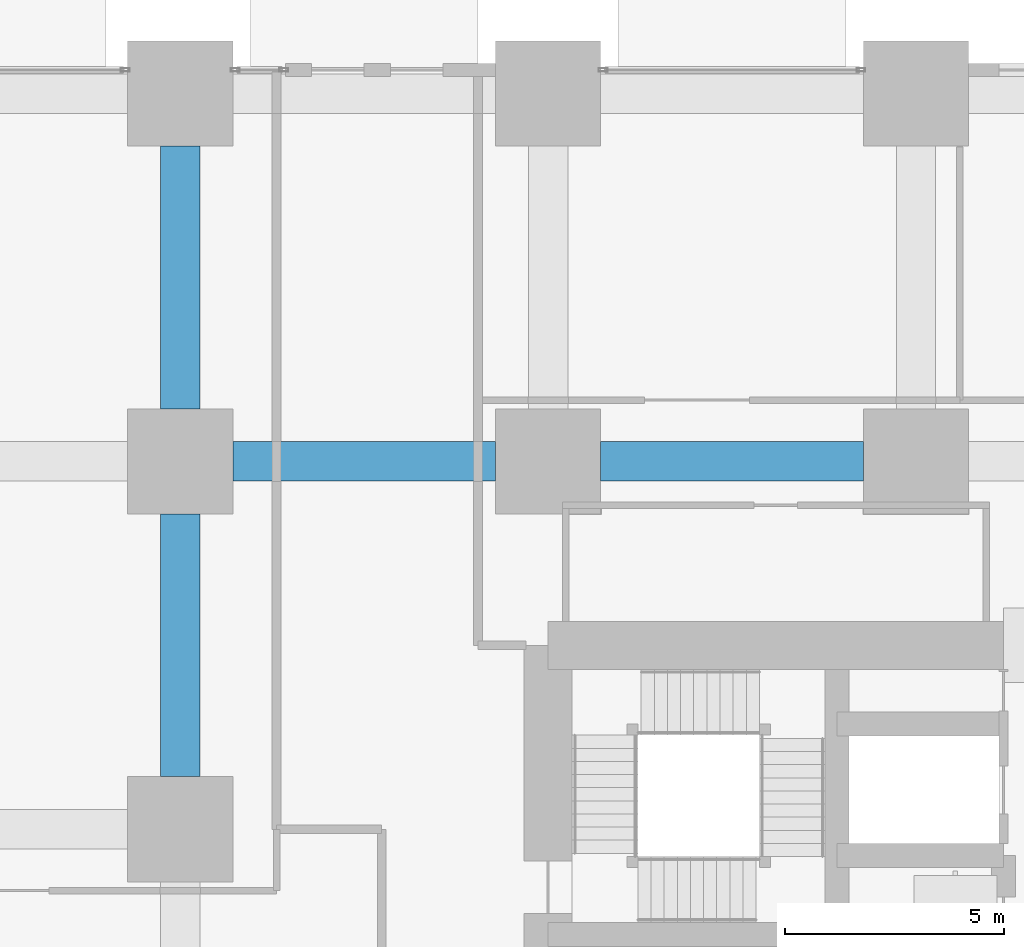
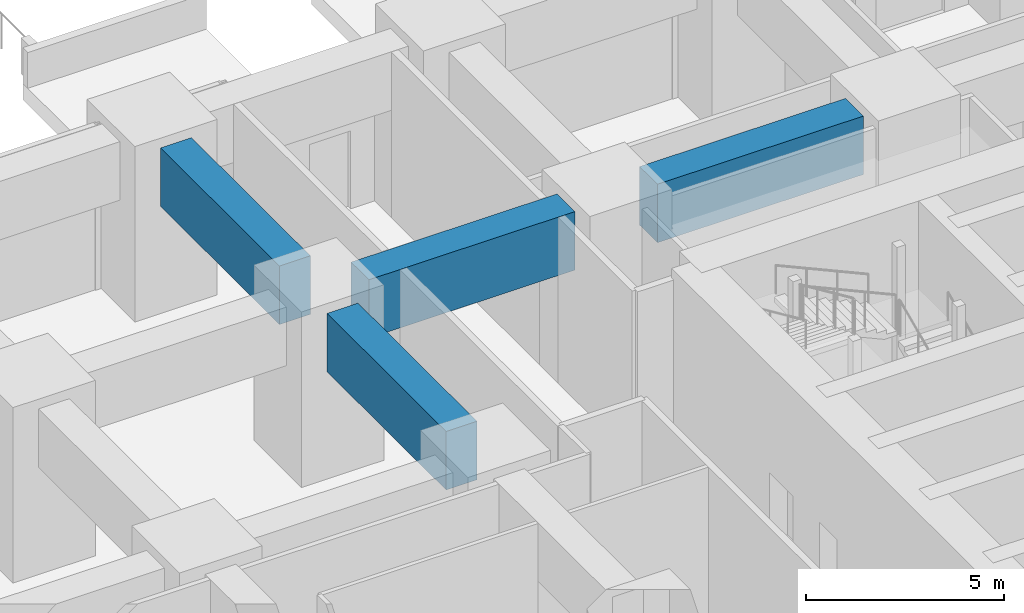
# One storey, part 23 of 81: 4 beams.
"""IFC4 building model written with IfcOpenShell, lengths in metres."""

from ifc_helpers import new_model, si_unit, direction, frame, origin, origin_2d, place, context, subcontext, project, spatial, rectangle, extrude, material, material_profile, profile_set, type_object, element, save


model = new_model("IFC4")

# Units and contexts
model_context = context("Model", 3, precision=1e-05, world=origin(), true_north=direction((0.0, 1.0)))
body_context = subcontext(model_context, "Body", "Model", "MODEL_VIEW")
ifc_project = project(units=[si_unit("LENGTHUNIT", "METRE"), si_unit("AREAUNIT", "SQUARE_METRE"), si_unit("VOLUMEUNIT", "CUBIC_METRE"), si_unit("PLANEANGLEUNIT", "RADIAN"), si_unit("MASSUNIT", "GRAM", prefix="KILO")], contexts=[model_context])

# Site, building, storey
site_placement = place(None, origin())
site = spatial("IfcSite", under=ifc_project, at=site_placement, CompositionType="ELEMENT")
building_placement = place(site_placement, origin())
building = spatial("IfcBuilding", under=site, at=building_placement, Name="Rekha Terrace Tower", CompositionType="ELEMENT")
storey_placement = place(building_placement, origin())
storey = spatial("IfcBuildingStorey", under=building, at=storey_placement, Name="L00", CompositionType="ELEMENT", Elevation=0.0)

# Beams
ifc_material = material(Name="Concrete M60", Category="concrete")
ifc_material_profile = material_profile(ifc_material, rectangle(XDim=0.89990234375, YDim=1.800048828125, at=origin_2d()), Name="RC 900x1800")
ifc_profile_set = profile_set([ifc_material_profile], Name="Concrete M60")
beam_type = type_object("IfcBeamType", Name="G1 900x1800 podium floor beam", PredefinedType="BEAM", material=ifc_profile_set)
for number, where, z_axis, x_axis, name in (
    (1, (16.800048828125, 43.199951171875, 4.199951171875), (0.0, 1.0, 0.0), (-1.0, 0.0, 0.0), "Beam G1 3F-3G under L01"),
    (2, (18.0, 50.39990234375, 4.199951171875), (1.0, 0.0, 0.0), (0.0, 1.0, 0.0), "Beam G1 3G-4G under L01"),
    (3, (16.800048828125, 51.60009765625, 4.199951171875), (0.0, 1.0, 0.0), (-1.0, 0.0, 0.0), "Beam G1 3G-3H under L01"),
    (4, (26.39990234375, 50.39990234375, 4.199951171875), (1.0, 0.0, 0.0), (0.0, 1.0, 0.0), "Beam G1 4G-5G under L01"),
):
    element("IfcBeam", number, at=place(storey_placement, frame(where, z_axis=z_axis, x_axis=x_axis)), inside=storey, type_object=beam_type, Name=name, PredefinedType="BEAM", context=body_context, shape_type="SweptSolid", body=[
        extrude(rectangle(XDim=0.89990234375, YDim=1.800048828125, at=origin_2d()), origin(), (0.0, 0.0, 1.0), 6.0),
    ])

save(model, "model.ifc")
